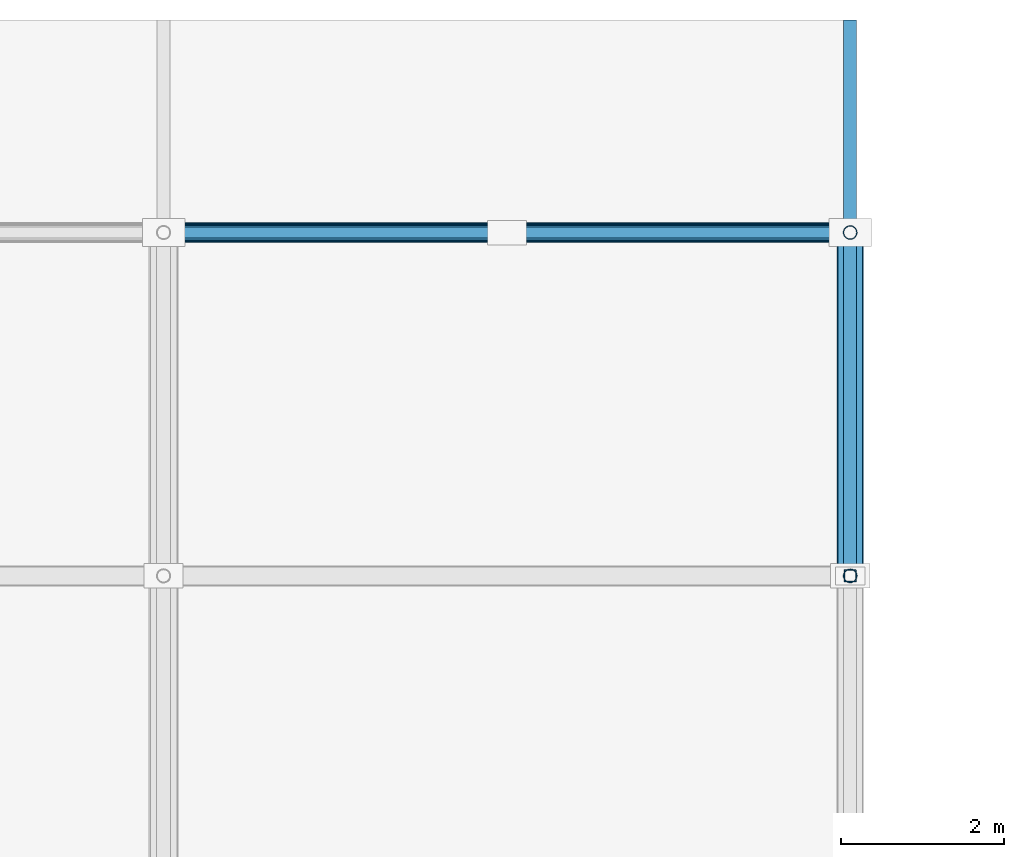
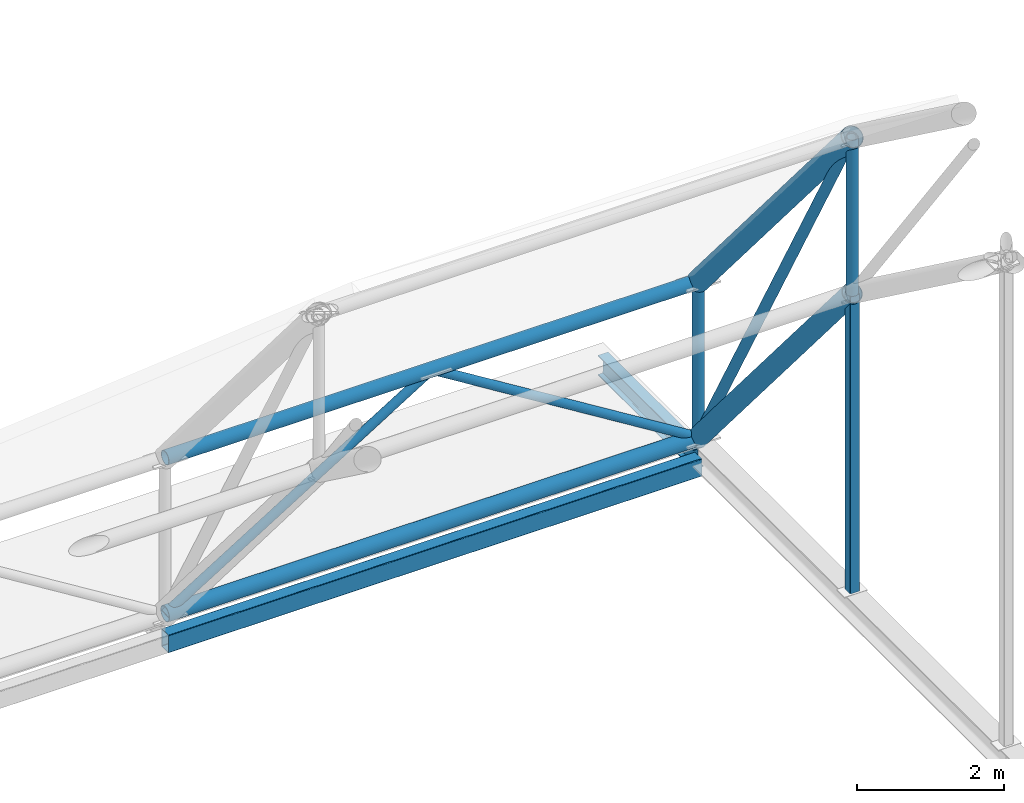
# One storey, part 63 of 103: 8 members, 4 beams.
"""IFC4 building model written with IfcOpenShell, lengths in metres."""

from ifc_helpers import new_model, si_unit, direction, frame, origin, origin_2d, place, context, subcontext, project, spatial, hollow_rectangle, hollow_circle, i_section, extrude, material, material_profile, profile_set, type_object, element, save


model = new_model("IFC4")

# Units and contexts
model_context = context("Model", 3, precision=1e-05, world=origin(), true_north=direction((0.0, 1.0)))
body_context = subcontext(model_context, "Body", "Model", "MODEL_VIEW")
ifc_project = project(units=[si_unit("LENGTHUNIT", "METRE"), si_unit("AREAUNIT", "SQUARE_METRE"), si_unit("VOLUMEUNIT", "CUBIC_METRE"), si_unit("PLANEANGLEUNIT", "RADIAN"), si_unit("MASSUNIT", "GRAM", prefix="KILO")], contexts=[model_context])

# Site, building, storey
site_placement = place(None, origin())
site = spatial("IfcSite", under=ifc_project, at=site_placement, CompositionType="ELEMENT")
building_placement = place(site_placement, origin())
building = spatial("IfcBuilding", under=site, at=building_placement, Name="Varnapada Polytechnic", CompositionType="ELEMENT")
storey_placement = place(building_placement, frame((0.0, 0.0, 18.0)))
storey = spatial("IfcBuildingStorey", under=building, at=storey_placement, Name="L04", CompositionType="ELEMENT", Elevation=18.0)

# Beam
ifc_material = material(Name="Steel S355", Category="steel")
ifc_material_profile_1 = material_profile(ifc_material, i_section(OverallWidth=0.159912109375, OverallDepth=0.330078125, WebThickness=0.007568359375, FlangeThickness=0.011474609375, FilletRadius=0.01806640625, at=origin_2d()), Name="IPE 330")
ifc_profile_set_1 = profile_set([ifc_material_profile_1], Name="Steel S355")
beam_type_1 = type_object("IfcBeamType", Name="Clerestory monitor steel rafter SB-07 (IPE 330)", PredefinedType="BEAM", material=ifc_profile_set_1)
beam_1_placement = place(storey_placement, frame((134.39990234375, 126.0, -0.35009765625), z_axis=(0.0, 1.0, 0.0), x_axis=(-1.0, 0.0, 0.0)))
element("IfcBeam", 1, at=beam_1_placement, inside=storey, type_object=beam_type_1, Name="Workshop eave shade outlooker N.11", PredefinedType="BEAM", context=body_context, shape_type="SweptSolid", body=[
    extrude(i_section(OverallWidth=0.159912109375, OverallDepth=0.330078125, WebThickness=0.007568359375, FlangeThickness=0.011474609375, FilletRadius=0.01806640625, at=origin_2d()), origin(), (0.0, 0.0, 1.0), 2.60009765625),
])

# Member
ifc_material_profile_2 = material_profile(ifc_material, hollow_rectangle(XDim=0.14990234375, YDim=0.14990234375, WallThickness=0.00634765625, InnerFilletRadius=0.006103515625, OuterFilletRadius=0.011962890625, at=origin_2d()), Name="SHS 150x150x6.3")
ifc_profile_set_2 = profile_set([ifc_material_profile_2], Name="Steel S355")
member_type_1 = type_object("IfcMemberType", Name="Sawtooth north-light mullion post SFP-02 (SHS 150x150x6.3)", PredefinedType="POST", material=ifc_profile_set_2)
member_1_placement = place(storey_placement, frame((134.39990234375, 121.800048828125, 0.0), z_axis=(0.0, 0.0, 1.0), x_axis=(1.0, 0.0, 0.0)))
element("IfcMember", 2, at=member_1_placement, inside=storey, type_object=member_type_1, Name="Workshop arch tympanum mullion E.9", PredefinedType="POST", context=body_context, shape_type="SweptSolid", body=[
    extrude(hollow_rectangle(XDim=0.14990234375, YDim=0.14990234375, WallThickness=0.00634765625, InnerFilletRadius=0.006103515625, OuterFilletRadius=0.011962890625, at=origin_2d()), origin(), (0.0, 0.0, 1.0), 4.94921875),
])

# Beam
ifc_material_profile_3 = material_profile(ifc_material, hollow_circle(Radius=0.149169921875, WallThickness=0.010009765625, at=origin_2d()), Name="CHS 298.5x10.0")
ifc_profile_set_3 = profile_set([ifc_material_profile_3], Name="Steel S355")
beam_type_2 = type_object("IfcBeamType", Name="Space frame end-bay arch rib VA-04 (CHS 298.5x10.0)", PredefinedType="BEAM", material=ifc_profile_set_3)
beam_2_placement = place(storey_placement, frame((134.39990234375, 121.800048828125, 4.94921875), z_axis=(0.0, 0.647032448214, -0.762462465279), x_axis=(-1.0, 0.0, 0.0)))
element("IfcBeam", 3, at=beam_2_placement, inside=storey, type_object=beam_type_2, Name="Vaulted space frame bottom arch chord 11.10", PredefinedType="BEAM", context=body_context, shape_type="SweptSolid", body=[
    extrude(hollow_circle(Radius=0.149169921875, WallThickness=0.010009765625, at=origin_2d()), origin(), (0.0, 0.0, 1.0), 6.4912109375),
])

# Members
ifc_material_profile_4 = material_profile(ifc_material, hollow_circle(Radius=0.07958984375, WallThickness=0.00634765625, at=origin_2d()), Name="CHS 159.0x6.3")
ifc_profile_set_4 = profile_set([ifc_material_profile_4], Name="Steel S355")
member_type_2 = type_object("IfcMemberType", Name="Space frame perimeter web diagonal SFB-03 (CHS 159.0x6.3)", PredefinedType="BRACE", material=ifc_profile_set_4)
member_2_placement = place(storey_placement, frame((134.39990234375, 121.800048828125, 7.549072265625), z_axis=(0.0, 0.486175535898, -0.873861172209), x_axis=(-1.0, 0.0, 0.0)))
element("IfcMember", 4, at=member_2_placement, inside=storey, type_object=member_type_2, Name="Vaulted space frame web diagonal 11.10", PredefinedType="BRACE", context=body_context, shape_type="SweptSolid", body=[
    extrude(hollow_circle(Radius=0.07958984375, WallThickness=0.00634765625, at=origin_2d()), origin(), (0.0, 0.0, 1.0), 8.638671875),
])
ifc_material_profile_5 = material_profile(ifc_material, hollow_circle(Radius=0.122314453125, WallThickness=0.008056640625, at=origin_2d()), Name="CHS 244.5x8.0")
ifc_profile_set_5 = profile_set([ifc_material_profile_5], Name="Steel S355")
member_type_3 = type_object("IfcMemberType", Name="Vaulted space frame longitudinal bottom chord SFC-01 (CHS 244.5x8.0)", PredefinedType="CHORD", material=ifc_profile_set_5)
member_3_placement = place(storey_placement, frame((126.0, 126.0, 0.0), z_axis=(1.0, 0.0, 0.0), x_axis=(0.0, 1.0, 0.0)))
element("IfcMember", 5, at=member_3_placement, inside=storey, type_object=member_type_3, Name="Vaulted space frame longitudinal bottom chord 10.11", PredefinedType="CHORD", context=body_context, shape_type="SweptSolid", body=[
    extrude(hollow_circle(Radius=0.122314453125, WallThickness=0.008056640625, at=origin_2d()), origin(), (0.0, 0.0, 1.0), 8.39990234375),
])
ifc_material_profile_6 = material_profile(ifc_material, hollow_circle(Radius=0.109619140625, WallThickness=0.008056640625, at=origin_2d()), Name="CHS 219.1x8.0")
ifc_profile_set_6 = profile_set([ifc_material_profile_6], Name="Steel S355")
member_type_4 = type_object("IfcMemberType", Name="Vaulted space frame longitudinal top chord SFC-02 (CHS 219.1x8.0)", PredefinedType="CHORD", material=ifc_profile_set_6)
member_4_placement = place(storey_placement, frame((126.0, 126.0, 2.60009765625), z_axis=(1.0, 0.0, 0.0), x_axis=(0.0, 1.0, 0.0)))
element("IfcMember", 6, at=member_4_placement, inside=storey, type_object=member_type_4, Name="Vaulted space frame longitudinal top chord 10.11", PredefinedType="CHORD", context=body_context, shape_type="SweptSolid", body=[
    extrude(hollow_circle(Radius=0.109619140625, WallThickness=0.008056640625, at=origin_2d()), origin(), (0.0, 0.0, 1.0), 8.39990234375),
])
ifc_material_profile_7 = material_profile(ifc_material, hollow_circle(Radius=0.084228515625, WallThickness=0.00634765625, at=origin_2d()), Name="CHS 168.3x6.3")
ifc_profile_set_7 = profile_set([ifc_material_profile_7], Name="Steel S355")
member_type_5 = type_object("IfcMemberType", Name="Vaulted space frame radial web strut SFS-01 (CHS 168.3x6.3)", PredefinedType="STRUT", material=ifc_profile_set_7)
member_5_placement = place(storey_placement, frame((134.39990234375, 121.800048828125, 4.94921875), z_axis=(0.0, 0.0, 1.0), x_axis=(1.0, 0.0, 0.0)))
element("IfcMember", 7, at=member_5_placement, inside=storey, type_object=member_type_5, Name="Vaulted space frame strut 11.10", PredefinedType="STRUT", context=body_context, shape_type="SweptSolid", body=[
    extrude(hollow_circle(Radius=0.084228515625, WallThickness=0.00634765625, at=origin_2d()), origin(), (0.0, 0.0, 1.0), 2.599853515625),
])
member_6_placement = place(storey_placement, frame((134.39990234375, 126.0, 0.0), z_axis=(0.0, 0.0, 1.0), x_axis=(1.0, 0.0, 0.0)))
element("IfcMember", 8, at=member_6_placement, inside=storey, type_object=member_type_5, Name="Vaulted space frame strut 11.11", PredefinedType="STRUT", context=body_context, shape_type="SweptSolid", body=[
    extrude(hollow_circle(Radius=0.084228515625, WallThickness=0.00634765625, at=origin_2d()), origin(), (0.0, 0.0, 1.0), 2.60009765625),
])
ifc_material_profile_8 = material_profile(ifc_material, hollow_circle(Radius=0.06982421875, WallThickness=0.0048828125, at=origin_2d()), Name="CHS 139.7x5.0")
ifc_profile_set_8 = profile_set([ifc_material_profile_8], Name="Steel S355")
member_type_6 = type_object("IfcMemberType", Name="Vaulted space frame secondary web diagonal SFB-02 (CHS 139.7x5.0)", PredefinedType="BRACE", material=ifc_profile_set_8)
for number, where, z_axis, x_axis, name in (
    (9, (126.0, 126.0, 0.0), (0.85025356003, 0.0, 0.526373331065), (0.0, 1.0, 0.0), "Vaulted space frame longitudinal brace 10.11A"),
    (10, (134.39990234375, 126.0, 0.0), (-0.85025356003, 0.0, 0.526373331065), (0.0, -1.0, 0.0), "Vaulted space frame longitudinal brace 10.11B"),
):
    element("IfcMember", number, at=place(storey_placement, frame(where, z_axis=z_axis, x_axis=x_axis)), inside=storey, type_object=member_type_6, Name=name, PredefinedType="BRACE", context=body_context, shape_type="SweptSolid", body=[
        extrude(hollow_circle(Radius=0.06982421875, WallThickness=0.0048828125, at=origin_2d()), origin(), (0.0, 0.0, 1.0), 4.939697265625),
    ])

# Beams
ifc_material_profile_9 = material_profile(ifc_material, hollow_circle(Radius=0.161865234375, WallThickness=0.010009765625, at=origin_2d()), Name="CHS 323.9x10.0")
ifc_profile_set_9 = profile_set([ifc_material_profile_9], Name="Steel S355")
beam_type_3 = type_object("IfcBeamType", Name="Vaulted space frame upper arch rib VA-02 (CHS 323.9x10.0)", PredefinedType="BEAM", material=ifc_profile_set_9)
beam_3_placement = place(storey_placement, frame((134.39990234375, 121.800048828125, 7.549072265625), z_axis=(0.0, 0.647051003787, -0.762446718465), x_axis=(-1.0, 0.0, 0.0)))
element("IfcBeam", 11, at=beam_3_placement, inside=storey, type_object=beam_type_3, Name="Vaulted space frame top arch chord 11.10", PredefinedType="BEAM", context=body_context, shape_type="SweptSolid", body=[
    extrude(hollow_circle(Radius=0.161865234375, WallThickness=0.010009765625, at=origin_2d()), origin(), (0.0, 0.0, 1.0), 6.490966796875),
])
ifc_material_profile_10 = material_profile(ifc_material, hollow_rectangle(XDim=0.199951171875, YDim=0.300048828125, WallThickness=0.010009765625, InnerFilletRadius=0.010009765625, OuterFilletRadius=0.02001953125, at=origin_2d()), Name="RHS 300x200x10")
ifc_profile_set_10 = profile_set([ifc_material_profile_10], Name="Steel S355")
beam_type_4 = type_object("IfcBeamType", Name="Workshop steel spandrel tie SP-03 (RHS 300x200x10)", PredefinedType="SPANDREL", material=ifc_profile_set_10)
beam_4_placement = place(storey_placement, frame((126.0, 126.0, -0.449951171875), z_axis=(1.0, 0.0, 0.0), x_axis=(0.0, 1.0, 0.0)))
element("IfcBeam", 12, at=beam_4_placement, inside=storey, type_object=beam_type_4, Name="L04 workshop clerestory tie X16-17 Y16", PredefinedType="SPANDREL", context=body_context, shape_type="SweptSolid", body=[
    extrude(hollow_rectangle(XDim=0.199951171875, YDim=0.300048828125, WallThickness=0.010009765625, InnerFilletRadius=0.010009765625, OuterFilletRadius=0.02001953125, at=origin_2d()), origin(), (0.0, 0.0, 1.0), 8.39990234375),
])

save(model, "model.ifc")
